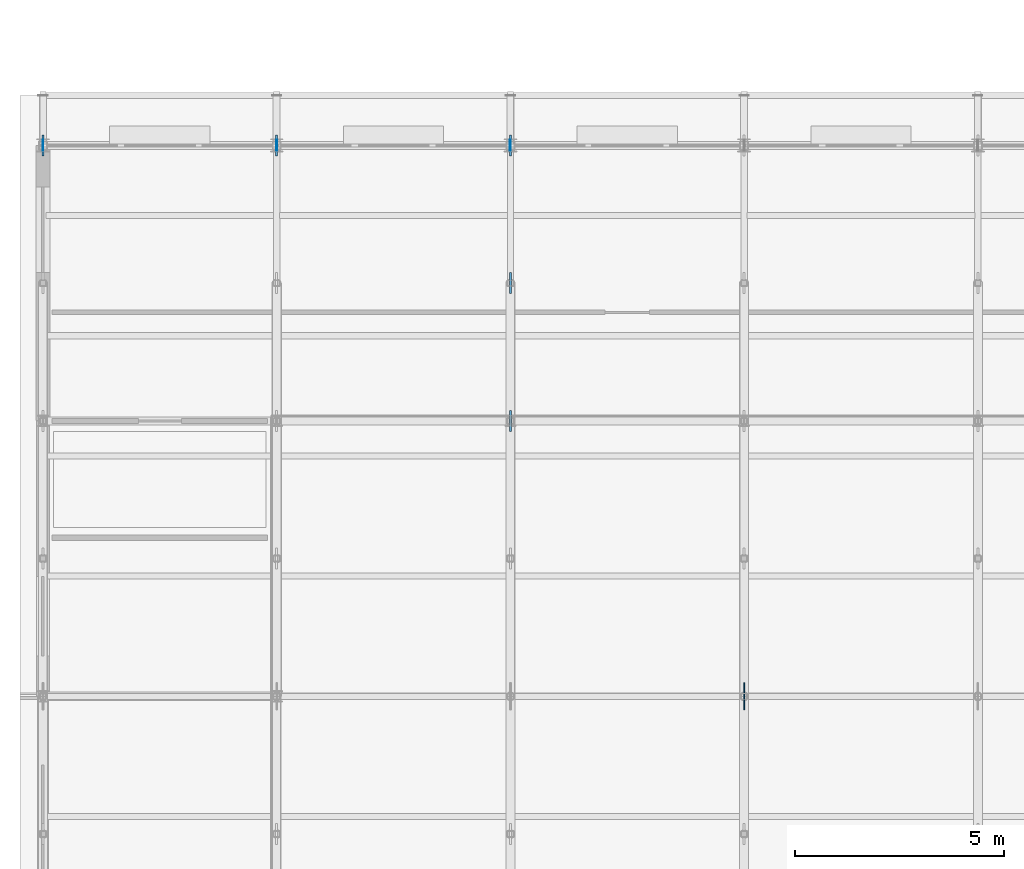
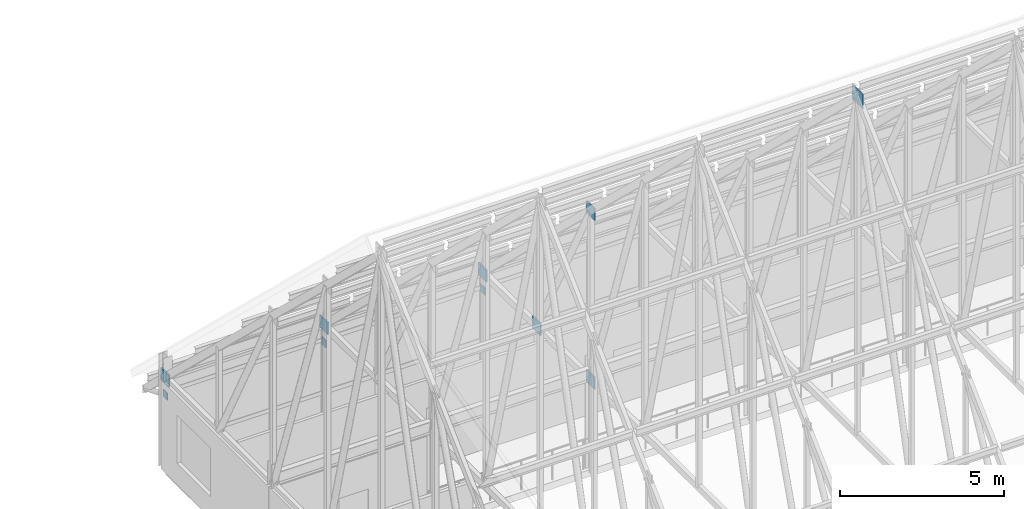
# One storey, part 105 of 144: 10 plates.
"""IFC4 building model written with IfcOpenShell, lengths in metres."""

from ifc_helpers import new_model, si_unit, direction, frame, origin, origin_2d, place, context, subcontext, project, spatial, rectangle, extrude, material, layer, layer_set, type_object, element, save


model = new_model("IFC4")

# Units and contexts
model_context = context("Model", 3, precision=1e-05, world=origin(), true_north=direction((0.0, 1.0)))
body_context = subcontext(model_context, "Body", "Model", "MODEL_VIEW")
ifc_project = project(units=[si_unit("LENGTHUNIT", "METRE"), si_unit("AREAUNIT", "SQUARE_METRE"), si_unit("VOLUMEUNIT", "CUBIC_METRE"), si_unit("PLANEANGLEUNIT", "RADIAN"), si_unit("MASSUNIT", "GRAM", prefix="KILO")], contexts=[model_context])

# Site, building, storey
site_placement = place(None, origin())
site = spatial("IfcSite", under=ifc_project, at=site_placement, CompositionType="ELEMENT")
building_placement = place(site_placement, origin())
building = spatial("IfcBuilding", under=site, at=building_placement, Name="Trelmorton Wharf Fire Station", CompositionType="ELEMENT")
storey_placement = place(building_placement, frame((0.0, 0.0, 5.39990234375)))
storey = spatial("IfcBuildingStorey", under=building, at=storey_placement, Name="L01", CompositionType="ELEMENT", Elevation=5.39990234375)

# Plates
ifc_material = material(Name="Steel Grade 350", Category="steel")
ifc_layer_1 = layer(ifc_material, 0.02001953125)
ifc_layer_set_1 = layer_set([ifc_layer_1], Name="Steel Grade 350")
plate_type_1 = type_object("IfcPlateType", Name="PL_ENDCAP_20", PredefinedType="SHEET", material=ifc_layer_set_1)
for number, where, z_axis, x_axis, name in (
    (1, (0.800048828125, 34.199951171875, 2.56005859375), (0.0, 0.0, 1.0), (1.0, 0.0, 0.0), "PL-EC-0004"),
    (2, (6.39990234375, 34.199951171875, 2.56005859375), (0.0, 0.0, 1.0), (1.0, 0.0, 0.0), "PL-EC-0008"),
    (3, (12.0, 34.199951171875, 2.56005859375), (0.0, 0.0, 1.0), (1.0, 0.0, 0.0), "PL-EC-0012"),
):
    element("IfcPlate", number, at=place(storey_placement, frame(where, z_axis=z_axis, x_axis=x_axis)), inside=storey, type_object=plate_type_1, Name=name, PredefinedType="SHEET", context=body_context, shape_type="SweptSolid", body=[
        extrude(rectangle(XDim=0.02001953125, YDim=0.260009765625, at=origin_2d()), origin(), (0.0, 0.0, 1.0), 0.280029296875),
    ])
ifc_layer_2 = layer(ifc_material, 0.030029296875)
ifc_layer_set_2 = layer_set([ifc_layer_2], Name="Steel Grade 350")
plate_type_2 = type_object("IfcPlateType", Name="PL_GUSSET_TN1", PredefinedType="USERDEFINED", material=ifc_layer_set_2)
plate_placement = place(storey_placement, frame((17.60009765625, 21.0, 15.6767578125), z_axis=(0.0, 0.0, 1.0), x_axis=(1.0, 0.0, 0.0)))
element("IfcPlate", 4, at=plate_placement, inside=storey, type_object=plate_type_2, Name="PL-TN-0146", ObjectType="GUSSET PLATE", PredefinedType="USERDEFINED", context=body_context, shape_type="SweptSolid", body=[
    extrude(rectangle(XDim=0.030029296875, YDim=0.64990234375, at=origin_2d()), origin(), (0.0, 0.0, 1.0), 0.550048828125),
])
ifc_layer_3 = layer(ifc_material, 0.050048828125)
ifc_layer_set_3 = layer_set([ifc_layer_3], Name="Steel Grade 350")
plate_type_3 = type_object("IfcPlateType", Name="PL_GUSSET_TN2", PredefinedType="USERDEFINED", material=ifc_layer_set_3)
for number, where, z_axis, x_axis, name in (
    (5, (0.800048828125, 34.199951171875, 3.126953125), (0.0, 0.0, 1.0), (1.0, 0.0, 0.0), "PL-TN-0106"),
    (6, (6.39990234375, 34.199951171875, 3.126953125), (0.0, 0.0, 1.0), (1.0, 0.0, 0.0), "PL-TN-0119"),
    (7, (12.0, 34.199951171875, 3.126953125), (0.0, 0.0, 1.0), (1.0, 0.0, 0.0), "PL-TN-0132"),
    (8, (12.0, 30.89990234375, 3.126953125), (0.0, 0.0, 1.0), (1.0, 0.0, 0.0), "PL-TN-0139"),
    (9, (12.0, 27.60009765625, 9.4267578125), (0.0, 0.0, 1.0), (1.0, 0.0, 0.0), "PL-TN-0140"),
    (10, (12.0, 27.60009765625, 3.126953125), (0.0, 0.0, 1.0), (1.0, 0.0, 0.0), "PL-TN-0141"),
):
    element("IfcPlate", number, at=place(storey_placement, frame(where, z_axis=z_axis, x_axis=x_axis)), inside=storey, type_object=plate_type_3, Name=name, ObjectType="GUSSET PLATE", PredefinedType="USERDEFINED", context=body_context, shape_type="SweptSolid", body=[
        extrude(rectangle(XDim=0.050048828125, YDim=0.5, at=origin_2d()), origin(), (0.0, 0.0, 1.0), 0.449951171875),
    ])

save(model, "model.ifc")
